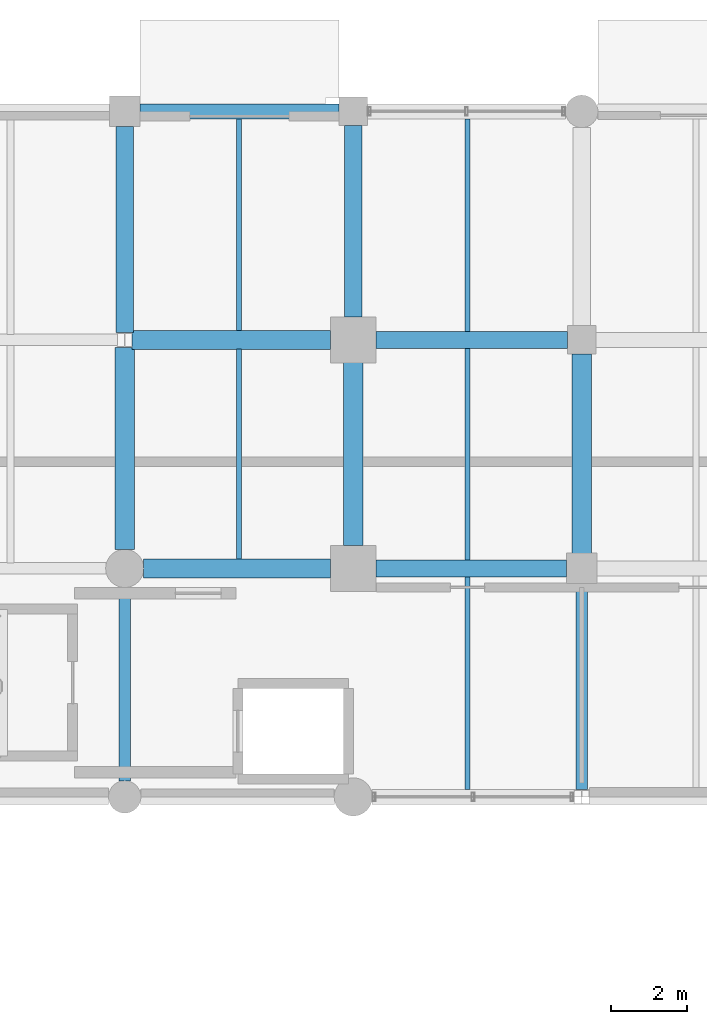
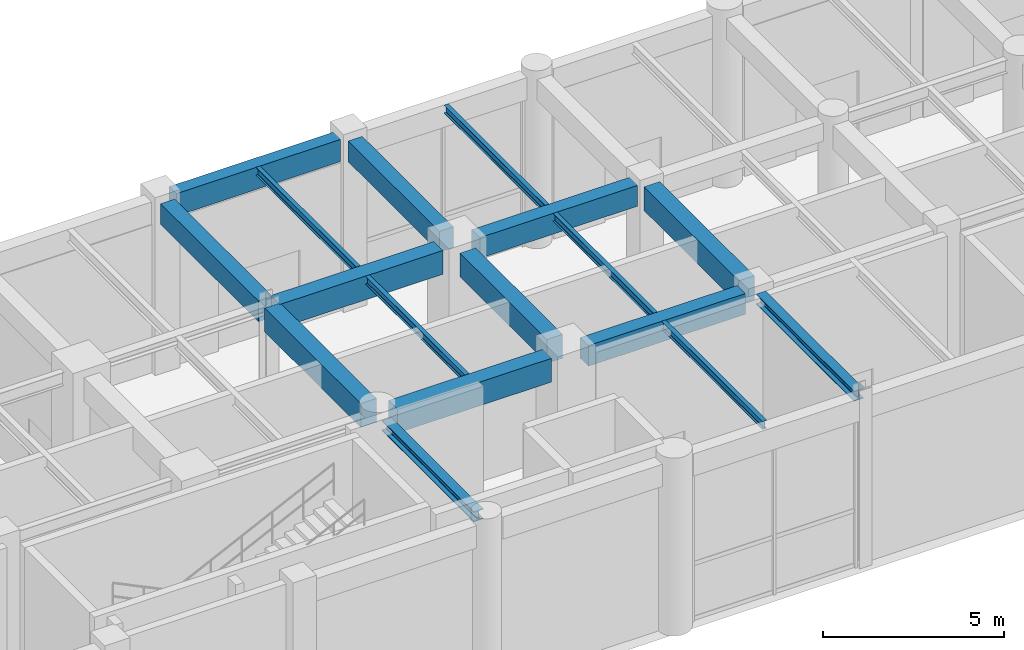
# One storey, part 50 of 106: 17 beams.
"""IFC4 building model written with IfcOpenShell, lengths in metres."""

import ifcopenshell
import ifcopenshell.guid

model = None  # the IFC model being written
_history = None  # IfcOwnerHistory: only IFC2X3 demands one
_inside = {}  # id of a spatial element -> (the spatial element, [elements in it])
_under = {}  # id of a project, library or spatial element -> (it, [spatial elements below it])
_declared = {}  # id of a project -> (the project, [libraries it declares])
_typed = {}  # id of a type object -> (the type object, [elements of that type])
_made_of = {}  # id of a material, layer set ... -> (it, [elements and type objects made of it])


def new_model(schema):
    """Start an empty IFC model of exactly this schema.

    Asked for "IFC4X3", IfcOpenShell would pick the latest addendum, in which some entities
    have other attributes; the version numbers below select the first issue.
    IFC2X3 requires an IfcOwnerHistory on every rooted entity: one is made here for all.
    """
    global model, _history
    if schema == "IFC4X3":
        model = ifcopenshell.file(schema_version=(4, 3, 0, 0))
    else:
        model = ifcopenshell.file(schema=schema)
    _inside.clear()
    _under.clear()
    _declared.clear()
    _typed.clear()
    _made_of.clear()
    _history = None
    if model.schema == "IFC2X3":
        org = make("IfcOrganization", Name="unknown")
        user = make(
            "IfcPersonAndOrganization",
            ThePerson=make("IfcPerson", FamilyName="unknown"),
            TheOrganization=org,
        )
        app = make(
            "IfcApplication",
            ApplicationDeveloper=org,
            Version="unknown",
            ApplicationFullName="unknown",
            ApplicationIdentifier="unknown",
        )
        _history = make(
            "IfcOwnerHistory",
            OwningUser=user,
            OwningApplication=app,
            ChangeAction="ADDED",
            CreationDate=0,
        )
    return model


def make(cls, **values):
    """One entity of the class cls with the attributes given. An attribute that is None is left unset."""
    return model.create_entity(
        cls, **{name: value for name, value in values.items() if value is not None}
    )


def rooted(cls, **values):
    """An entity with a GlobalId (a new one), such as an element, a storey or a relation."""
    return make(cls, GlobalId=ifcopenshell.guid.new(), OwnerHistory=_history, **values)


def si_unit(unit_type, name, prefix=None):
    """IfcSIUnit, for example si_unit("LENGTHUNIT", "METRE", prefix="MILLI")."""
    return make("IfcSIUnit", UnitType=unit_type, Prefix=prefix, Name=name)


def assignment(units):
    """IfcUnitAssignment: the units of a project."""
    return None if units is None else make("IfcUnitAssignment", Units=units)


def point(xyz):
    """IfcCartesianPoint."""
    return None if xyz is None else make("IfcCartesianPoint", Coordinates=xyz)


def direction(xyz):
    """IfcDirection."""
    return None if xyz is None else make("IfcDirection", DirectionRatios=xyz)


def frame(location, z_axis=None, x_axis=None):
    """IfcAxis2Placement3D, a coordinate frame: its origin and axes. An axis left out is left unset."""
    return make(
        "IfcAxis2Placement3D",
        Location=point(location),
        Axis=direction(z_axis),
        RefDirection=direction(x_axis),
    )


def frame_2d(location, x_axis=None):
    """IfcAxis2Placement2D, a coordinate frame in the plane: its origin and x axis."""
    return make(
        "IfcAxis2Placement2D", Location=point(location), RefDirection=direction(x_axis)
    )


def origin():
    """The frame at (0, 0, 0) with its axes left unset."""
    return frame((0.0, 0.0, 0.0))


def origin_2d():
    """The frame at (0, 0) in the plane with its x axis left unset."""
    return frame_2d((0.0, 0.0))


def place(relative_to, where):
    """IfcLocalPlacement: puts the frame where relative to a parent placement (None: the world)."""
    return make(
        "IfcLocalPlacement", PlacementRelTo=relative_to, RelativePlacement=where
    )


def context(
    kind, dimensions, precision=None, world=None, true_north=None, identifier=None
):
    """IfcGeometricRepresentationContext, for example the 3D "Model" context."""
    return make(
        "IfcGeometricRepresentationContext",
        ContextIdentifier=identifier,
        ContextType=kind,
        CoordinateSpaceDimension=dimensions,
        Precision=precision,
        WorldCoordinateSystem=world,
        TrueNorth=true_north,
    )


def subcontext(parent, identifier, kind, view, scale=None):
    """IfcGeometricRepresentationSubContext, for example "Body" below "Model"."""
    return make(
        "IfcGeometricRepresentationSubContext",
        ContextIdentifier=identifier,
        ContextType=kind,
        ParentContext=parent,
        TargetScale=scale,
        TargetView=view,
    )


def project(units=None, contexts=None):
    """IfcProject with its units and contexts."""
    return rooted(
        "IfcProject",
        Name="project",
        RepresentationContexts=contexts,
        UnitsInContext=assignment(units),
    )


def spatial(cls, under=None, at=None, **own):
    """A site, building, storey or space (cls), placed at a placement, below another one or the project."""
    s = rooted(cls, ObjectPlacement=at, **own)
    if under is not None:
        _under.setdefault(under.id(), (under, []))[1].append(s)
    return s


def profile(cls, at=None, kind="AREA", **sizes):
    """A parametric profile (cls). Its sizes go by their IFC names, for example OverallWidth=200.0."""
    return make(cls, ProfileType=kind, Position=at, **sizes)


def rectangle(**sizes):
    """IfcRectangleProfileDef."""
    return profile("IfcRectangleProfileDef", **sizes)


def i_section(**sizes):
    """IfcIShapeProfileDef."""
    return profile("IfcIShapeProfileDef", **sizes)


def extrude(swept, where, along, depth):
    """IfcExtrudedAreaSolid: the profile swept, set in the frame where, extruded along a direction by depth."""
    return make(
        "IfcExtrudedAreaSolid",
        SweptArea=swept,
        Position=where,
        ExtrudedDirection=direction(along),
        Depth=depth,
    )


def shape(context_of_items, identifier, shape_type, items):
    """IfcShapeRepresentation: the items that make up one representation, for example the "Body"."""
    return make(
        "IfcShapeRepresentation",
        ContextOfItems=context_of_items,
        RepresentationIdentifier=identifier,
        RepresentationType=shape_type,
        Items=items,
    )


def material(Name=None, Category=None):
    """IfcMaterial."""
    return make("IfcMaterial", Name=Name, Category=Category)


def material_profile(
    of_material, cross_section, Name=None, Category=None, Priority=None
):
    """IfcMaterialProfile: a cross section and its material."""
    return make(
        "IfcMaterialProfile",
        Name=Name,
        Material=of_material,
        Profile=cross_section,
        Priority=Priority,
        Category=Category,
    )


def profile_set(profiles, Name=None, composite=None):
    """IfcMaterialProfileSet."""
    return make(
        "IfcMaterialProfileSet",
        Name=Name,
        MaterialProfiles=profiles,
        CompositeProfile=composite,
    )


def made_of(thing, what):
    """Note that an element or type object is made of a material, layer set ...; save() writes the relation."""
    if what is not None:
        _made_of.setdefault(what.id(), (what, []))[1].append(thing)
    return thing


def type_object(cls, material=None, **own):
    """A type object (cls), such as IfcWallType, which elements share."""
    return made_of(rooted(cls, **own), material)


def element(
    cls,
    number,
    at=None,
    inside=None,
    cuts=None,
    type_object=None,
    material=None,
    context=None,
    identifier="Body",
    shape_type=None,
    held_by="IfcProductDefinitionShape",
    body=None,
    shapes=None,
    **own,
):
    """One element of the class cls, such as IfcWall. Its Tag is "e" and its number.

    at: its placement. inside: the storey or other place that contains it. cuts: it is an
    opening in that element (IfcRelVoidsElement). A single representation is given by context,
    identifier, shape_type and body (its items); several are given by shapes. held_by: the class
    of the entity that holds the representations. save() writes the other relations.
    """
    e = rooted(cls, Tag="e%d" % number, ObjectPlacement=at, **own)
    if body is not None:
        shapes = [shape(context, identifier, shape_type, body)]
    if shapes is not None:
        e.Representation = make(held_by, Representations=shapes)
    if inside is not None:
        _inside.setdefault(inside.id(), (inside, []))[1].append(e)
    if cuts is not None:
        rooted(
            "IfcRelVoidsElement", RelatingBuildingElement=cuts, RelatedOpeningElement=e
        )
    if type_object is not None:
        _typed.setdefault(type_object.id(), (type_object, []))[1].append(e)
    return made_of(e, material)


def aggregate(whole, parts):
    """IfcRelAggregates: a whole, such as a stair, and the parts it consists of."""
    return rooted("IfcRelAggregates", RelatingObject=whole, RelatedObjects=parts)


def save(model, path):
    """Write the relations noted so far, then the file.

    IfcRelAggregates (storeys below a building ...), IfcRelContainedInSpatialStructure (elements
    in a storey), IfcRelDefinesByType, IfcRelAssociatesMaterial and IfcRelDeclares: one each for
    every whole, place, type object, material and project.
    """
    for whole, parts in _under.values():
        aggregate(whole, parts)
    for where, things in _inside.values():
        rooted(
            "IfcRelContainedInSpatialStructure",
            RelatedElements=things,
            RelatingStructure=where,
        )
    for kind, things in _typed.values():
        rooted("IfcRelDefinesByType", RelatedObjects=things, RelatingType=kind)
    for what, things in _made_of.values():
        rooted("IfcRelAssociatesMaterial", RelatedObjects=things, RelatingMaterial=what)
    for by, libraries in _declared.values():
        rooted("IfcRelDeclares", RelatingContext=by, RelatedDefinitions=libraries)
    model.write(path)


model = new_model("IFC4")

# Units and contexts
model_context = context("Model", 3, precision=1e-05, world=origin(), true_north=direction((0.0, 1.0)))
body_context = subcontext(model_context, "Body", "Model", "MODEL_VIEW")
ifc_project = project(units=[si_unit("LENGTHUNIT", "METRE"), si_unit("AREAUNIT", "SQUARE_METRE"), si_unit("VOLUMEUNIT", "CUBIC_METRE"), si_unit("PLANEANGLEUNIT", "RADIAN"), si_unit("MASSUNIT", "GRAM", prefix="KILO"), si_unit("THERMODYNAMICTEMPERATUREUNIT", "KELVIN"), si_unit("POWERUNIT", "WATT")], contexts=[model_context])

# Site, building, storey
site_placement = place(None, origin())
site = spatial("IfcSite", under=ifc_project, at=site_placement, CompositionType="ELEMENT")
building_placement = place(site_placement, origin())
building = spatial("IfcBuilding", under=site, at=building_placement, Name="Phaisarnlok Congress Hotel", CompositionType="ELEMENT")
storey_placement = place(building_placement, origin())
storey = spatial("IfcBuildingStorey", under=building, at=storey_placement, Name="L00", CompositionType="ELEMENT", Elevation=0.0)

# Beams
ifc_material_1 = material(Name="Concrete C40/50", Category="concrete")
ifc_material_profile_1 = material_profile(ifc_material_1, rectangle(XDim=0.449951171875, YDim=0.699951171875, at=origin_2d()), Name="RC 450x700")
ifc_profile_set_1 = profile_set([ifc_material_profile_1], Name="Concrete C40/50")
beam_type_1 = type_object("IfcBeamType", Name="BM-RC-450x700", PredefinedType="BEAM", material=ifc_profile_set_1)
beam_1_placement = place(storey_placement, frame((114.0, 120.194580078125, 5.389892578125), z_axis=(0.0, 1.0, 0.0), x_axis=(-1.0, 0.0, 0.0)))
element("IfcBeam", 1, at=beam_1_placement, inside=storey, type_object=beam_type_1, Name="Beam B-03", PredefinedType="BEAM", context=body_context, shape_type="SweptSolid", body=[
    extrude(rectangle(XDim=0.449951171875, YDim=0.699951171875, at=origin_2d()), origin(), (0.0, 0.0, 1.0), 5.410400390625),
])
beam_2_placement = place(storey_placement, frame((120.594970703125, 114.0, 5.389892578125), z_axis=(1.0, 0.0, 0.0), x_axis=(0.0, 1.0, 0.0)))
element("IfcBeam", 2, at=beam_2_placement, inside=storey, type_object=beam_type_1, Name="Beam B-03", PredefinedType="BEAM", context=body_context, shape_type="SweptSolid", body=[
    extrude(rectangle(XDim=0.449951171875, YDim=0.699951171875, at=origin_2d()), origin(), (0.0, 0.0, 1.0), 5.010009765625),
])
for number, where, z_axis, x_axis, name in (
    (3, (120.594970703125, 120.0, 5.389892578125), (1.0, 0.0, 0.0), (0.0, 1.0, 0.0), "Beam B-03"),
    (4, (120.0, 120.594970703125, 5.389892578125), (0.0, 1.0, 0.0), (-1.0, 0.0, 0.0), "Beam B-03"),
):
    element("IfcBeam", number, at=place(storey_placement, frame(where, z_axis=z_axis, x_axis=x_axis)), inside=storey, type_object=beam_type_1, Name=name, PredefinedType="BEAM", context=body_context, shape_type="SweptSolid", body=[
        extrude(rectangle(XDim=0.449951171875, YDim=0.699951171875, at=origin_2d()), origin(), (0.0, 0.0, 1.0), 5.034912109375),
    ])
ifc_material_profile_2 = material_profile(ifc_material_1, rectangle(XDim=0.5, YDim=0.800048828125, at=origin_2d()), Name="RC 500x800")
ifc_profile_set_2 = profile_set([ifc_material_profile_2], Name="Concrete C40/50")
beam_type_2 = type_object("IfcBeamType", Name="BM-RC-500x800", PredefinedType="BEAM", material=ifc_profile_set_2)
beam_3_placement = place(storey_placement, frame((114.4951171875, 114.0, 5.340087890625), z_axis=(1.0, 0.0, 0.0), x_axis=(0.0, 1.0, 0.0)))
element("IfcBeam", 5, at=beam_3_placement, inside=storey, type_object=beam_type_2, Name="Beam B-04", PredefinedType="BEAM", context=body_context, shape_type="SweptSolid", body=[
    extrude(rectangle(XDim=0.5, YDim=0.800048828125, at=origin_2d()), origin(), (0.0, 0.0, 1.0), 4.909912109375),
])
beam_4_placement = place(storey_placement, frame((114.0, 114.4951171875, 5.340087890625), z_axis=(0.0, 1.0, 0.0), x_axis=(-1.0, 0.0, 0.0)))
element("IfcBeam", 6, at=beam_4_placement, inside=storey, type_object=beam_type_2, Name="Beam B-04", PredefinedType="BEAM", context=body_context, shape_type="SweptSolid", body=[
    extrude(rectangle(XDim=0.5, YDim=0.800048828125, at=origin_2d()), origin(), (0.0, 0.0, 1.0), 5.310302734375),
])
beam_5_placement = place(storey_placement, frame((114.195556640625, 120.0, 5.340087890625), z_axis=(1.0, 0.0, 0.0), x_axis=(0.0, 1.0, 0.0)))
element("IfcBeam", 7, at=beam_5_placement, inside=storey, type_object=beam_type_2, Name="Beam B-04", PredefinedType="BEAM", context=body_context, shape_type="SweptSolid", body=[
    extrude(rectangle(XDim=0.5, YDim=0.800048828125, at=origin_2d()), origin(), (0.0, 0.0, 1.0), 5.20947265625),
])
beam_6_placement = place(storey_placement, frame((120.0, 114.594970703125, 5.340087890625), z_axis=(0.0, 1.0, 0.0), x_axis=(-1.0, 0.0, 0.0)))
element("IfcBeam", 8, at=beam_6_placement, inside=storey, type_object=beam_type_2, Name="Beam B-04", PredefinedType="BEAM", context=body_context, shape_type="SweptSolid", body=[
    extrude(rectangle(XDim=0.5, YDim=0.800048828125, at=origin_2d()), origin(), (0.0, 0.0, 1.0), 4.81005859375),
])
beam_7_placement = place(storey_placement, frame((126.0, 114.39501953125, 5.340087890625), z_axis=(0.0, 1.0, 0.0), x_axis=(-1.0, 0.0, 0.0)))
element("IfcBeam", 9, at=beam_7_placement, inside=storey, type_object=beam_type_2, Name="Beam B-04", PredefinedType="BEAM", context=body_context, shape_type="SweptSolid", body=[
    extrude(rectangle(XDim=0.5, YDim=0.800048828125, at=origin_2d()), origin(), (0.0, 0.0, 1.0), 5.23486328125),
])
ifc_material_2 = material(Name="Steel S355", Category="steel")
ifc_material_profile_3 = material_profile(ifc_material_2, i_section(OverallWidth=0.300048828125, OverallDepth=0.340087890625, WebThickness=0.011962890625, FlangeThickness=0.021484375, FilletRadius=0.027099609375, at=origin_2d()), Name="HEB 340")
ifc_profile_set_3 = profile_set([ifc_material_profile_3], Name="Steel S355")
beam_type_3 = type_object("IfcBeamType", Name="BM-STL-HEB340", PredefinedType="BEAM", material=ifc_profile_set_3)
beam_8_placement = place(storey_placement, frame((114.0, 108.419921875, 5.570068359375), z_axis=(0.0, 1.0, 0.0), x_axis=(-1.0, 0.0, 0.0)))
element("IfcBeam", 10, at=beam_8_placement, inside=storey, type_object=beam_type_3, Name="Beam SB-07", PredefinedType="BEAM", context=body_context, shape_type="SweptSolid", body=[
    extrude(i_section(OverallWidth=0.300048828125, OverallDepth=0.340087890625, WebThickness=0.011962890625, FlangeThickness=0.021484375, FilletRadius=0.027099609375, at=origin_2d()), origin(), (0.0, 0.0, 1.0), 5.0849609375),
])
beam_9_placement = place(storey_placement, frame((126.0, 108.194580078125, 5.570068359375), z_axis=(0.0, 1.0, 0.0), x_axis=(-1.0, 0.0, 0.0)))
element("IfcBeam", 11, at=beam_9_placement, inside=storey, type_object=beam_type_3, Name="Beam SB-07", PredefinedType="BEAM", context=body_context, shape_type="SweptSolid", body=[
    extrude(i_section(OverallWidth=0.300048828125, OverallDepth=0.340087890625, WebThickness=0.011962890625, FlangeThickness=0.021484375, FilletRadius=0.027099609375, at=origin_2d()), origin(), (0.0, 0.0, 1.0), 5.410400390625),
])
ifc_material_profile_4 = material_profile(ifc_material_2, i_section(OverallWidth=0.135009765625, OverallDepth=0.27001953125, WebThickness=0.006591796875, FlangeThickness=0.01025390625, FilletRadius=0.014892578125, at=origin_2d()), Name="IPE 270")
ifc_profile_set_4 = profile_set([ifc_material_profile_4], Name="Steel S355")
beam_type_4 = type_object("IfcBeamType", Name="JS-STL-IPE270", PredefinedType="JOIST", material=ifc_profile_set_4)
beam_10_placement = place(storey_placement, frame((117.0, 114.2451171875, 5.60498046875), z_axis=(0.0, 1.0, 0.0), x_axis=(-1.0, 0.0, 0.0)))
element("IfcBeam", 12, at=beam_10_placement, inside=storey, type_object=beam_type_4, Name="Secondary floor joist J-02", PredefinedType="JOIST", context=body_context, shape_type="SweptSolid", body=[
    extrude(i_section(OverallWidth=0.135009765625, OverallDepth=0.27001953125, WebThickness=0.006591796875, FlangeThickness=0.01025390625, FilletRadius=0.014892578125, at=origin_2d()), origin(), (0.0, 0.0, 1.0), 5.509765625),
])
beam_11_placement = place(storey_placement, frame((117.0, 120.2451171875, 5.60498046875), z_axis=(0.0, 1.0, 0.0), x_axis=(-1.0, 0.0, 0.0)))
element("IfcBeam", 13, at=beam_11_placement, inside=storey, type_object=beam_type_4, Name="Secondary floor joist J-02", PredefinedType="JOIST", context=body_context, shape_type="SweptSolid", body=[
    extrude(i_section(OverallWidth=0.135009765625, OverallDepth=0.27001953125, WebThickness=0.006591796875, FlangeThickness=0.01025390625, FilletRadius=0.014892578125, at=origin_2d()), origin(), (0.0, 0.0, 1.0), 5.559814453125),
])
beam_12_placement = place(storey_placement, frame((123.0, 108.195068359375, 5.60498046875), z_axis=(0.0, 1.0, 0.0), x_axis=(-1.0, 0.0, 0.0)))
element("IfcBeam", 14, at=beam_12_placement, inside=storey, type_object=beam_type_4, Name="Secondary floor joist J-02", PredefinedType="JOIST", context=body_context, shape_type="SweptSolid", body=[
    extrude(i_section(OverallWidth=0.135009765625, OverallDepth=0.27001953125, WebThickness=0.006591796875, FlangeThickness=0.01025390625, FilletRadius=0.014892578125, at=origin_2d()), origin(), (0.0, 0.0, 1.0), 5.5849609375),
])
beam_13_placement = place(storey_placement, frame((123.0, 114.219970703125, 5.60498046875), z_axis=(0.0, 1.0, 0.0), x_axis=(-1.0, 0.0, 0.0)))
element("IfcBeam", 15, at=beam_13_placement, inside=storey, type_object=beam_type_4, Name="Secondary floor joist J-02", PredefinedType="JOIST", context=body_context, shape_type="SweptSolid", body=[
    extrude(i_section(OverallWidth=0.135009765625, OverallDepth=0.27001953125, WebThickness=0.006591796875, FlangeThickness=0.01025390625, FilletRadius=0.014892578125, at=origin_2d()), origin(), (0.0, 0.0, 1.0), 5.56005859375),
])
beam_14_placement = place(storey_placement, frame((123.0, 120.219970703125, 5.60498046875), z_axis=(0.0, 1.0, 0.0), x_axis=(-1.0, 0.0, 0.0)))
element("IfcBeam", 16, at=beam_14_placement, inside=storey, type_object=beam_type_4, Name="Secondary floor joist J-02", PredefinedType="JOIST", context=body_context, shape_type="SweptSolid", body=[
    extrude(i_section(OverallWidth=0.135009765625, OverallDepth=0.27001953125, WebThickness=0.006591796875, FlangeThickness=0.01025390625, FilletRadius=0.014892578125, at=origin_2d()), origin(), (0.0, 0.0, 1.0), 5.5849609375),
])
ifc_material_profile_5 = material_profile(ifc_material_1, rectangle(XDim=0.39990234375, YDim=0.75, at=origin_2d()), Name="RC 400x750")
ifc_profile_set_5 = profile_set([ifc_material_profile_5], Name="Concrete C40/50")
beam_type_5 = type_object("IfcBeamType", Name="SP-RC-400x750", PredefinedType="SPANDREL", material=ifc_profile_set_5)
beam_15_placement = place(storey_placement, frame((114.39501953125, 126.0, 5.364990234375), z_axis=(1.0, 0.0, 0.0), x_axis=(0.0, 1.0, 0.0)))
element("IfcBeam", 17, at=beam_15_placement, inside=storey, type_object=beam_type_5, Name="Beam SP-02", PredefinedType="SPANDREL", context=body_context, shape_type="SweptSolid", body=[
    extrude(rectangle(XDim=0.39990234375, YDim=0.75, at=origin_2d()), origin(), (0.0, 0.0, 1.0), 5.23486328125),
])

save(model, "model.ifc")
